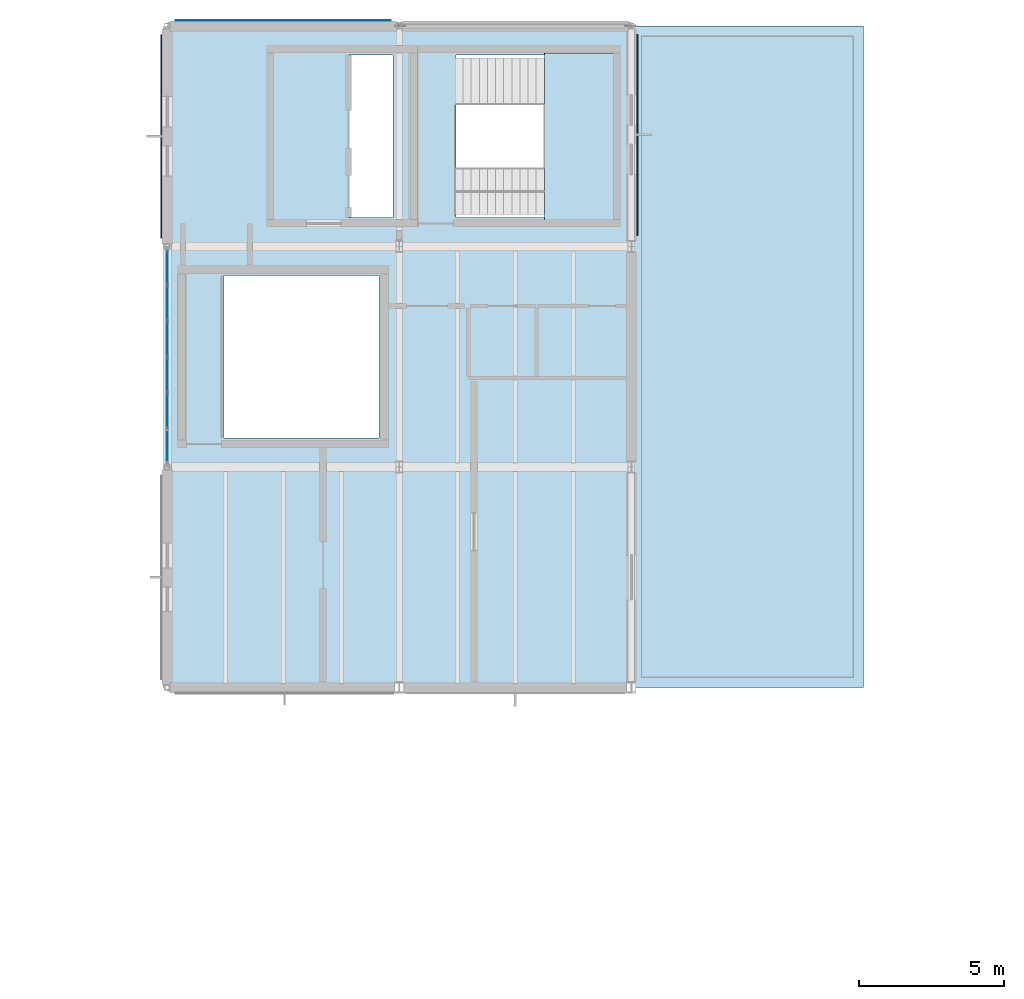
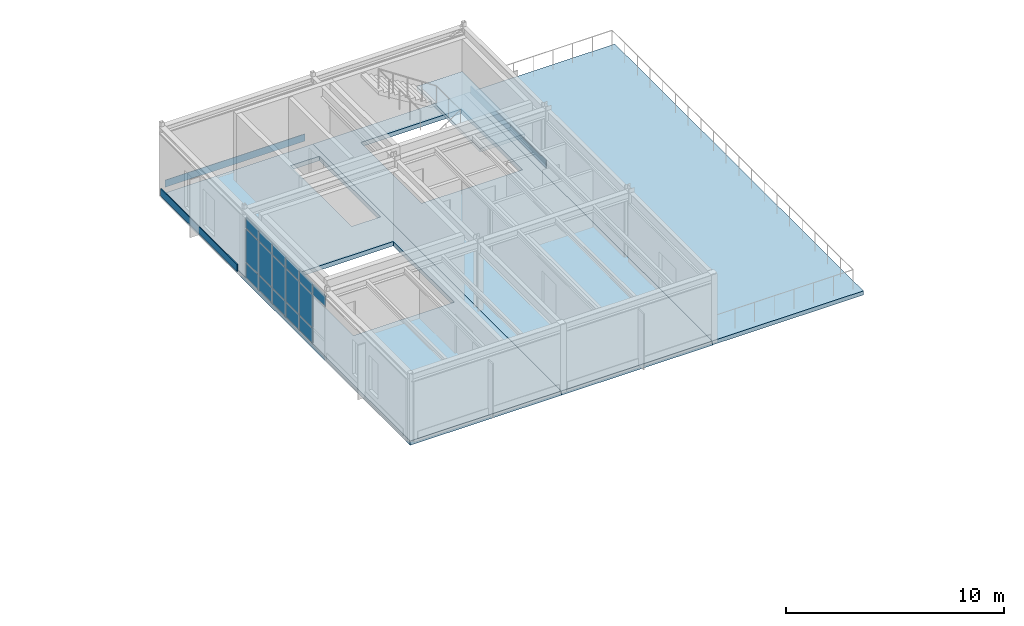
# One storey, part 46 of 65: 19 plates, 4 slabs, 2 elements without a shape of their own.
"""IFC4 building model written with IfcOpenShell, lengths in metres."""

from ifc_helpers import new_model, si_unit, direction, frame, origin, origin_2d, place, context, subcontext, project, spatial, polyline, rectangle, outline, extrude, material, layer, layer_set, type_object, element, aggregate, save


model = new_model("IFC4")

# Units and contexts
model_context = context("Model", 3, precision=1e-05, world=origin(), true_north=direction((0.0, 1.0)))
body_context = subcontext(model_context, "Body", "Model", "MODEL_VIEW")
ifc_project = project(units=[si_unit("LENGTHUNIT", "METRE"), si_unit("AREAUNIT", "SQUARE_METRE"), si_unit("VOLUMEUNIT", "CUBIC_METRE"), si_unit("PLANEANGLEUNIT", "RADIAN"), si_unit("MASSUNIT", "GRAM", prefix="KILO")], contexts=[model_context])

# Site, building, storey
site_placement = place(None, origin())
site = spatial("IfcSite", under=ifc_project, at=site_placement, CompositionType="ELEMENT")
building_placement = place(site_placement, origin())
building = spatial("IfcBuilding", under=site, at=building_placement, Name="Montecoro Central Library", CompositionType="ELEMENT")
storey_placement = place(building_placement, frame((0.0, 0.0, 17.340087890625)))
storey = spatial("IfcBuildingStorey", under=building, at=storey_placement, Name="L04", CompositionType="ELEMENT", Elevation=17.340087890625)

# Curtain wall, plates
ifc_material_1 = material(Name="Bronze-anodised aluminium and low-E glazing", Category="aluminium")
ifc_layer_1 = layer(ifc_material_1, 0.159912109375)
ifc_layer_set_1 = layer_set([ifc_layer_1], Name="Bronze-anodised aluminium and low-E glazing")
curtain_wall_type = type_object("IfcCurtainWallType", Name="CWT-056", PredefinedType="NOTDEFINED", material=ifc_layer_set_1)
curtain_wall_placement = place(storey_placement, origin())
curtain_wall = element("IfcCurtainWall", 1, at=curtain_wall_placement, inside=storey, type_object=curtain_wall_type, Name="V5-L04-CW-W1", PredefinedType="NOTDEFINED")
ifc_material_2 = material(Name="Laminated low-E double glazing", Category="glass")
ifc_layer_2 = layer(ifc_material_2, 0.030029296875)
ifc_layer_set_2 = layer_set([ifc_layer_2], Name="Laminated low-E double glazing")
plate_type_1 = type_object("IfcPlateType", Name="CWP-GLZ-02", PredefinedType="CURTAIN_PANEL", material=ifc_layer_set_2)
plate_1_placement = place(storey_placement, frame((141.0, 110.674072265625, 0.059814453125), z_axis=(0.0, 0.0, 1.0), x_axis=(0.0, -1.0, 0.0)))
plate_1 = element("IfcPlate", 2, at=plate_1_placement, type_object=plate_type_1, Name="CW-056 panel 1.1", PredefinedType="CURTAIN_PANEL", context=body_context, shape_type="SweptSolid", body=[
    extrude(rectangle(XDim=1.145751953125, YDim=0.030029296875, at=origin_2d()), origin(), (0.0, 0.0, 1.0), 0.81005859375),
])
plate_2_placement = place(storey_placement, frame((141.0, 110.674072265625, 0.9296875), z_axis=(0.0, 0.0, 1.0), x_axis=(0.0, -1.0, 0.0)))
plate_2 = element("IfcPlate", 3, at=plate_2_placement, type_object=plate_type_1, Name="CW-056 panel 1.2", PredefinedType="CURTAIN_PANEL", context=body_context, shape_type="SweptSolid", body=[
    extrude(rectangle(XDim=1.145751953125, YDim=0.030029296875, at=origin_2d()), origin(), (0.0, 0.0, 1.0), 1.820068359375),
])
plate_3_placement = place(storey_placement, frame((141.0, 110.674072265625, 2.81005859375), z_axis=(0.0, 0.0, 1.0), x_axis=(0.0, -1.0, 0.0)))
plate_3 = element("IfcPlate", 4, at=plate_3_placement, type_object=plate_type_1, Name="CW-056 panel 1.3", PredefinedType="CURTAIN_PANEL", context=body_context, shape_type="SweptSolid", body=[
    extrude(rectangle(XDim=1.145751953125, YDim=0.030029296875, at=origin_2d()), origin(), (0.0, 0.0, 1.0), 0.610107421875),
])
plate_4_placement = place(storey_placement, frame((141.0, 109.45361328125, 0.059814453125), z_axis=(0.0, 0.0, 1.0), x_axis=(0.0, -1.0, 0.0)))
plate_4 = element("IfcPlate", 5, at=plate_4_placement, type_object=plate_type_1, Name="CW-056 panel 2.1", PredefinedType="CURTAIN_PANEL", context=body_context, shape_type="SweptSolid", body=[
    extrude(rectangle(XDim=1.17578125, YDim=0.030029296875, at=origin_2d()), origin(), (0.0, 0.0, 1.0), 0.81005859375),
])
plate_5_placement = place(storey_placement, frame((141.0, 109.45361328125, 0.9296875), z_axis=(0.0, 0.0, 1.0), x_axis=(0.0, -1.0, 0.0)))
plate_5 = element("IfcPlate", 6, at=plate_5_placement, type_object=plate_type_1, Name="CW-056 panel 2.2", PredefinedType="CURTAIN_PANEL", context=body_context, shape_type="SweptSolid", body=[
    extrude(rectangle(XDim=1.17578125, YDim=0.030029296875, at=origin_2d()), origin(), (0.0, 0.0, 1.0), 1.820068359375),
])
plate_6_placement = place(storey_placement, frame((141.0, 109.45361328125, 2.81005859375), z_axis=(0.0, 0.0, 1.0), x_axis=(0.0, -1.0, 0.0)))
plate_6 = element("IfcPlate", 7, at=plate_6_placement, type_object=plate_type_1, Name="CW-056 panel 2.3", PredefinedType="CURTAIN_PANEL", context=body_context, shape_type="SweptSolid", body=[
    extrude(rectangle(XDim=1.17578125, YDim=0.030029296875, at=origin_2d()), origin(), (0.0, 0.0, 1.0), 0.610107421875),
])
plate_7_placement = place(storey_placement, frame((141.0, 108.2177734375, 0.059814453125), z_axis=(0.0, 0.0, 1.0), x_axis=(0.0, -1.0, 0.0)))
plate_7 = element("IfcPlate", 8, at=plate_7_placement, type_object=plate_type_1, Name="CW-056 panel 3.1", PredefinedType="CURTAIN_PANEL", context=body_context, shape_type="SweptSolid", body=[
    extrude(rectangle(XDim=1.17578125, YDim=0.030029296875, at=origin_2d()), origin(), (0.0, 0.0, 1.0), 0.81005859375),
])
plate_8_placement = place(storey_placement, frame((141.0, 108.2177734375, 0.9296875), z_axis=(0.0, 0.0, 1.0), x_axis=(0.0, -1.0, 0.0)))
plate_8 = element("IfcPlate", 9, at=plate_8_placement, type_object=plate_type_1, Name="CW-056 panel 3.2", PredefinedType="CURTAIN_PANEL", context=body_context, shape_type="SweptSolid", body=[
    extrude(rectangle(XDim=1.17578125, YDim=0.030029296875, at=origin_2d()), origin(), (0.0, 0.0, 1.0), 1.820068359375),
])
plate_9_placement = place(storey_placement, frame((141.0, 108.2177734375, 2.81005859375), z_axis=(0.0, 0.0, 1.0), x_axis=(0.0, -1.0, 0.0)))
plate_9 = element("IfcPlate", 10, at=plate_9_placement, type_object=plate_type_1, Name="CW-056 panel 3.3", PredefinedType="CURTAIN_PANEL", context=body_context, shape_type="SweptSolid", body=[
    extrude(rectangle(XDim=1.17578125, YDim=0.030029296875, at=origin_2d()), origin(), (0.0, 0.0, 1.0), 0.610107421875),
])
plate_10_placement = place(storey_placement, frame((141.0, 106.982177734375, 0.059814453125), z_axis=(0.0, 0.0, 1.0), x_axis=(0.0, -1.0, 0.0)))
plate_10 = element("IfcPlate", 11, at=plate_10_placement, type_object=plate_type_1, Name="CW-056 panel 4.1", PredefinedType="CURTAIN_PANEL", context=body_context, shape_type="SweptSolid", body=[
    extrude(rectangle(XDim=1.17578125, YDim=0.030029296875, at=origin_2d()), origin(), (0.0, 0.0, 1.0), 0.81005859375),
])
plate_11_placement = place(storey_placement, frame((141.0, 106.982177734375, 0.9296875), z_axis=(0.0, 0.0, 1.0), x_axis=(0.0, -1.0, 0.0)))
plate_11 = element("IfcPlate", 12, at=plate_11_placement, type_object=plate_type_1, Name="CW-056 panel 4.2", PredefinedType="CURTAIN_PANEL", context=body_context, shape_type="SweptSolid", body=[
    extrude(rectangle(XDim=1.17578125, YDim=0.030029296875, at=origin_2d()), origin(), (0.0, 0.0, 1.0), 1.820068359375),
])
plate_12_placement = place(storey_placement, frame((141.0, 106.982177734375, 2.81005859375), z_axis=(0.0, 0.0, 1.0), x_axis=(0.0, -1.0, 0.0)))
plate_12 = element("IfcPlate", 13, at=plate_12_placement, type_object=plate_type_1, Name="CW-056 panel 4.3", PredefinedType="CURTAIN_PANEL", context=body_context, shape_type="SweptSolid", body=[
    extrude(rectangle(XDim=1.17578125, YDim=0.030029296875, at=origin_2d()), origin(), (0.0, 0.0, 1.0), 0.610107421875),
])
plate_13_placement = place(storey_placement, frame((141.0, 105.74658203125, 0.059814453125), z_axis=(0.0, 0.0, 1.0), x_axis=(0.0, -1.0, 0.0)))
plate_13 = element("IfcPlate", 14, at=plate_13_placement, type_object=plate_type_1, Name="CW-056 panel 5.1", PredefinedType="CURTAIN_PANEL", context=body_context, shape_type="SweptSolid", body=[
    extrude(rectangle(XDim=1.17578125, YDim=0.030029296875, at=origin_2d()), origin(), (0.0, 0.0, 1.0), 0.81005859375),
])
plate_14_placement = place(storey_placement, frame((141.0, 105.74658203125, 0.9296875), z_axis=(0.0, 0.0, 1.0), x_axis=(0.0, -1.0, 0.0)))
plate_14 = element("IfcPlate", 15, at=plate_14_placement, type_object=plate_type_1, Name="CW-056 panel 5.2", PredefinedType="CURTAIN_PANEL", context=body_context, shape_type="SweptSolid", body=[
    extrude(rectangle(XDim=1.17578125, YDim=0.030029296875, at=origin_2d()), origin(), (0.0, 0.0, 1.0), 1.820068359375),
])
plate_15_placement = place(storey_placement, frame((141.0, 105.74658203125, 2.81005859375), z_axis=(0.0, 0.0, 1.0), x_axis=(0.0, -1.0, 0.0)))
plate_15 = element("IfcPlate", 16, at=plate_15_placement, type_object=plate_type_1, Name="CW-056 panel 5.3", PredefinedType="CURTAIN_PANEL", context=body_context, shape_type="SweptSolid", body=[
    extrude(rectangle(XDim=1.17578125, YDim=0.030029296875, at=origin_2d()), origin(), (0.0, 0.0, 1.0), 0.610107421875),
])
plate_16_placement = place(storey_placement, frame((141.0, 104.52587890625, 2.81005859375), z_axis=(0.0, 0.0, 1.0), x_axis=(0.0, -1.0, 0.0)))
plate_16 = element("IfcPlate", 17, at=plate_16_placement, type_object=plate_type_1, Name="CW-056 panel 6.3", PredefinedType="CURTAIN_PANEL", context=body_context, shape_type="SweptSolid", body=[
    extrude(rectangle(XDim=1.145751953125, YDim=0.030029296875, at=origin_2d()), origin(), (0.0, 0.0, 1.0), 0.610107421875),
])
aggregate(curtain_wall, [plate_1, plate_2, plate_3, plate_4, plate_5, plate_6, plate_7, plate_8, plate_9, plate_10, plate_11, plate_12, plate_13, plate_14, plate_15, plate_16])

# Plates
ifc_material_3 = material(Name="Architectural bronze spandrel plate", Category="aluminium")
ifc_layer_3 = layer(ifc_material_3, 0.028076171875)
ifc_layer_set_3 = layer_set([ifc_layer_3], Name="Architectural bronze spandrel plate")
plate_type_2 = type_object("IfcPlateType", Name="PLT-SPN-02", PredefinedType="SHEET", material=ifc_layer_set_3)
plate_17_placement = place(storey_placement, frame((145.0, 119.196533203125, 0.159912109375), z_axis=(0.0, 0.0, 1.0), x_axis=(-1.0, 0.0, 0.0)))
element("IfcPlate", 18, at=plate_17_placement, inside=storey, type_object=plate_type_2, Name="V5-L04-SPN-N0", PredefinedType="SHEET", context=body_context, shape_type="SweptSolid", body=[
    extrude(rectangle(XDim=7.4140625, YDim=0.028076171875, at=origin_2d()), origin(), (0.0, 0.0, 1.0), 0.39990234375),
])
ifc_layer_4 = layer(ifc_material_3, 0.0439453125)
ifc_layer_set_4 = layer_set([ifc_layer_4], Name="Architectural bronze spandrel plate")
plate_type_3 = type_object("IfcPlateType", Name="PLT-SPN-04", PredefinedType="SHEET", material=ifc_layer_set_4)
plate_18_placement = place(storey_placement, frame((157.20458984375, 115.25244140625, 0.159912109375), z_axis=(0.0, 0.0, 1.0), x_axis=(0.0, 1.0, 0.0)))
element("IfcPlate", 19, at=plate_18_placement, inside=storey, type_object=plate_type_3, Name="V5-L04-SPN-E2", PredefinedType="SHEET", context=body_context, shape_type="SweptSolid", body=[
    extrude(rectangle(XDim=6.908935546875, YDim=0.0439453125, at=origin_2d()), origin(), (0.0, 0.0, 1.0), 0.39990234375),
])
plate_19_placement = place(storey_placement, frame((140.79541015625, 115.199951171875, 0.159912109375), z_axis=(0.0, 0.0, 1.0), x_axis=(0.0, -1.0, 0.0)))
element("IfcPlate", 20, at=plate_19_placement, inside=storey, type_object=plate_type_3, Name="V5-L04-SPN-W2", PredefinedType="SHEET", context=body_context, shape_type="SweptSolid", body=[
    extrude(rectangle(XDim=7.013916015625, YDim=0.0439453125, at=origin_2d()), origin(), (0.0, 0.0, 1.0), 0.39990234375),
])

# Stair, slab
ifc_material_4 = material(Name="Concrete C35/45", Category="concrete")
stair_type = type_object("IfcStairType", Name="STR-RET-160", PredefinedType="HALF_TURN_STAIR", material=ifc_material_4)
stair_placement = place(storey_placement, origin())
stair = element("IfcStair", 21, at=stair_placement, inside=storey, type_object=stair_type, Name="C6-L04-STR", PredefinedType="HALF_TURN_STAIR")
ifc_layer_5 = layer(ifc_material_4, 0.199951171875)
ifc_layer_set_5 = layer_set([ifc_layer_5], Name="Concrete C35/45")
slab_type_1 = type_object("IfcSlabType", Name="SL-LND-200", PredefinedType="LANDING", material=ifc_layer_set_5)
slab_1_placement = place(storey_placement, frame((0.0, 0.0, 1.83984375)))
slab_1 = element("IfcSlab", 22, at=slab_1_placement, type_object=slab_type_1, Name="ST-06 landing 1", PredefinedType="LANDING", context=body_context, shape_type="SweptSolid", body=[
    extrude(outline(polyline([(154.0, 112.320068359375), (156.3798828125, 112.320068359375), (156.3798828125, 118.080078125), (154.0, 118.080078125), (154.0, 112.320068359375)])), origin(), (0.0, 0.0, 1.0), 0.199951171875),
])
aggregate(stair, [slab_1])

# Slabs
ifc_material_5 = material(Name="Concrete C32/40", Category="concrete")
ifc_layer_6 = layer(ifc_material_5, 0.2451171875)
ifc_layer_set_6 = layer_set([ifc_layer_6], Name="Concrete C32/40")
slab_type_2 = type_object("IfcSlabType", Name="SL-STK-245", PredefinedType="FLOOR", material=ifc_layer_set_6)
slab_2_placement = place(storey_placement, frame((0.0, 0.0, -0.2451171875)))
element("IfcSlab", 23, at=slab_2_placement, inside=storey, type_object=slab_type_2, Name="V5-L04-SL1", PredefinedType="FLOOR", context=body_context, shape_type="SweptSolid", body=[
    extrude(outline(polyline([(141.0, 96.199951171875), (149.0, 96.199951171875), (149.0, 119.0), (141.0, 119.0), (141.0, 96.199951171875)]), holes=[polyline([(147.25, 118.0), (148.780029296875, 118.0), (148.780029296875, 112.39990234375), (147.25, 112.39990234375), (147.25, 118.0)]), polyline([(142.9599609375, 110.39990234375), (148.300048828125, 110.39990234375), (148.300048828125, 104.800048828125), (142.9599609375, 104.800048828125), (142.9599609375, 110.39990234375)])]), origin(), (0.0, 0.0, 1.0), 0.2451171875),
])
slab_3_placement = place(storey_placement, frame((0.0, 0.0, -0.2451171875)))
element("IfcSlab", 24, at=slab_3_placement, inside=storey, type_object=slab_type_2, Name="V5-L04-SL2", PredefinedType="FLOOR", context=body_context, shape_type="SweptSolid", body=[
    extrude(outline(polyline([(149.0, 96.199951171875), (157.0, 96.199951171875), (157.0, 119.0), (149.0, 119.0), (149.0, 96.199951171875)]), holes=[polyline([(150.9599609375, 118.0), (156.300048828125, 118.0), (156.300048828125, 112.39990234375), (150.9599609375, 112.39990234375), (150.9599609375, 118.0)])]), origin(), (0.0, 0.0, 1.0), 0.2451171875),
])
ifc_material_6 = material(Name="Planted garden concrete C32/40", Category="concrete")
ifc_layer_7 = layer(ifc_material_6, 0.22998046875)
ifc_layer_set_7 = layer_set([ifc_layer_7], Name="Planted garden concrete C32/40")
slab_type_3 = type_object("IfcSlabType", Name="SL-TER-230", PredefinedType="FLOOR", material=ifc_layer_set_7)
slab_4_placement = place(storey_placement, frame((0.0, 0.0, -0.22998046875)))
element("IfcSlab", 25, at=slab_4_placement, inside=storey, type_object=slab_type_3, Name="Rare-Books Court Terrace", PredefinedType="FLOOR", context=body_context, shape_type="SweptSolid", body=[
    extrude(outline(polyline([(157.0, 96.199951171875), (165.0, 96.199951171875), (165.0, 119.0), (157.0, 119.0), (157.0, 96.199951171875)])), origin(), (0.0, 0.0, 1.0), 0.22998046875),
])

save(model, "model.ifc")
